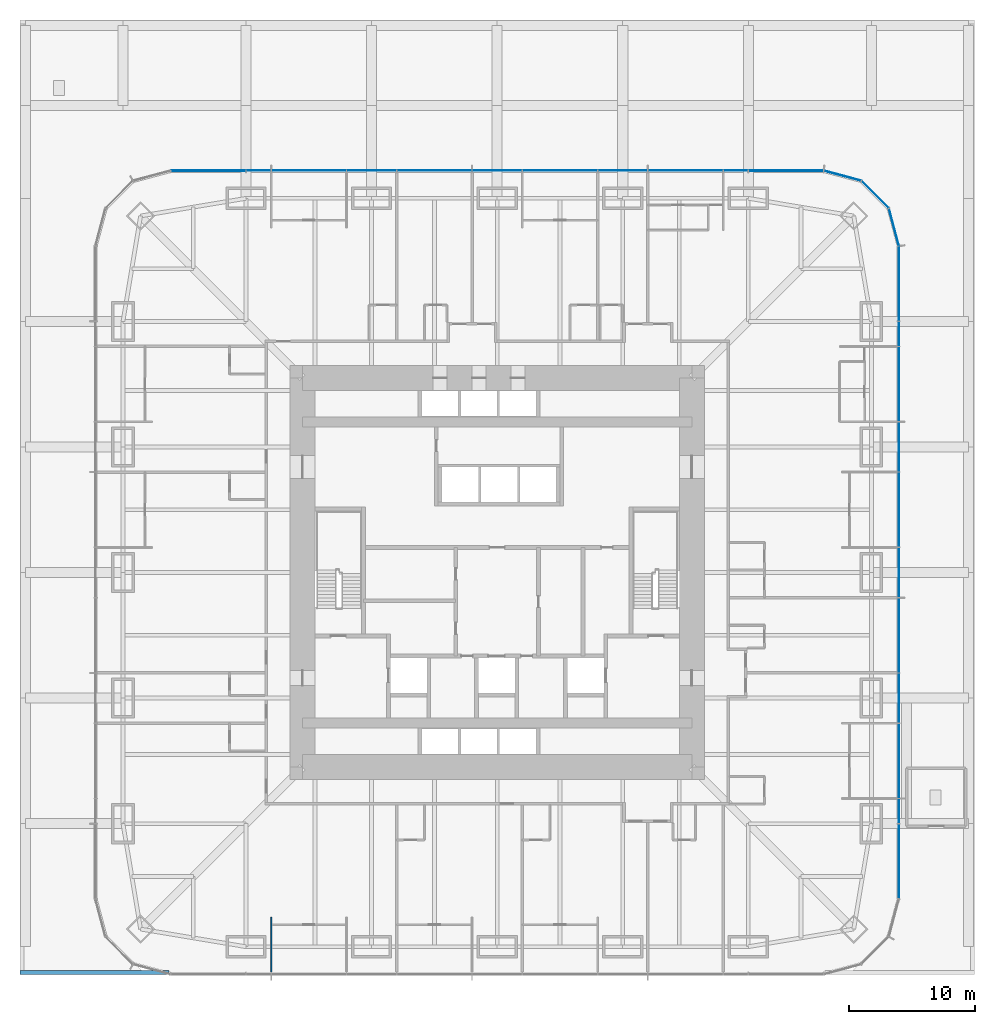
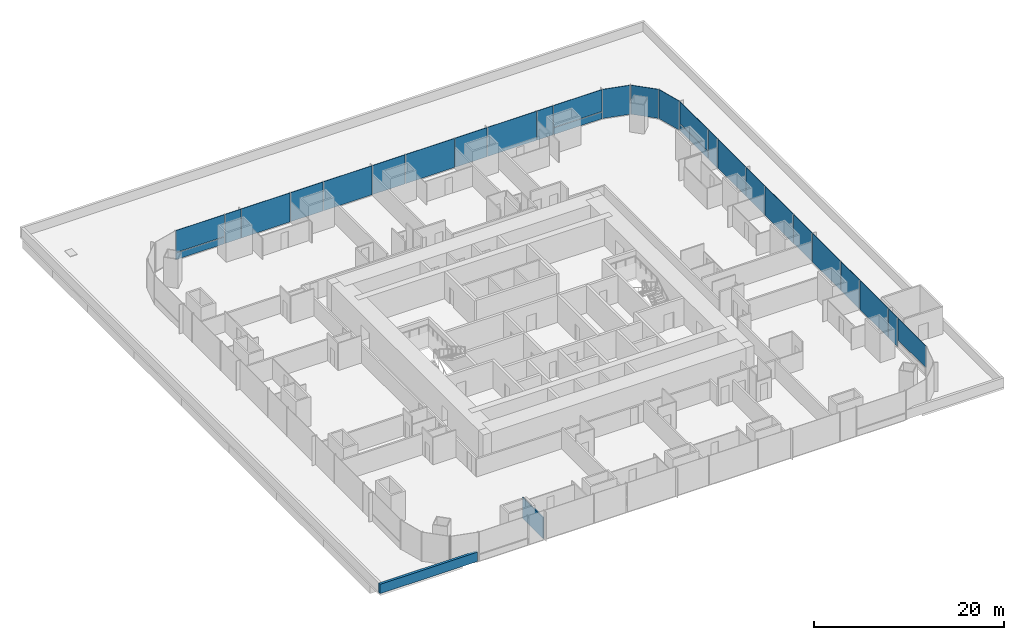
# One storey, part 13 of 20: 28 plates, 2 walls, 3 elements without a shape of their own.
"""IFC4 building model written with IfcOpenShell, lengths in metres."""

from ifc_helpers import new_model, si_unit, direction, frame, frame_2d, origin, origin_2d, place, context, subcontext, project, spatial, rectangle, extrude, material, layer, layer_set, type_object, element, aggregate, save


model = new_model("IFC4")

# Units and contexts
model_context = context("Model", 3, precision=1e-05, world=origin(), true_north=direction((0.0, 1.0)))
body_context = subcontext(model_context, "Body", "Model", "MODEL_VIEW")
ifc_project = project(units=[si_unit("LENGTHUNIT", "METRE"), si_unit("AREAUNIT", "SQUARE_METRE"), si_unit("VOLUMEUNIT", "CUBIC_METRE"), si_unit("PLANEANGLEUNIT", "RADIAN"), si_unit("MASSUNIT", "GRAM", prefix="KILO")], contexts=[model_context])

# Site, building, storey
site_placement = place(None, origin())
site = spatial("IfcSite", under=ifc_project, at=site_placement, CompositionType="ELEMENT")
building_placement = place(site_placement, origin())
building = spatial("IfcBuilding", under=site, at=building_placement, Name="Khuree Lantern Residences", CompositionType="ELEMENT")
storey_placement = place(building_placement, frame((0.0, 0.0, 21.0)))
storey = spatial("IfcBuildingStorey", under=building, at=storey_placement, Name="L04", CompositionType="ELEMENT", Elevation=21.0)

# Curtain wall, plates
ifc_material_1 = material(Name="Bronze anodised aluminium", Category="aluminium")
curtain_wall_type_1 = type_object("IfcCurtainWallType", Name="CW-T2 TOWER CORNER CURTAIN WALL", PredefinedType="USERDEFINED", material=ifc_material_1)
curtain_wall_1_placement = place(storey_placement, origin())
curtain_wall_1 = element("IfcCurtainWall", 1, at=curtain_wall_1_placement, inside=storey, type_object=curtain_wall_type_1, Name="L04 NORTH-EAST CORNER CURTAIN WALL", ObjectType="Faceted corner curtain wall", PredefinedType="USERDEFINED")
ifc_material_2 = material(Name="Bronze tinted triple glazing", Category="glass")
ifc_layer_1 = layer(ifc_material_2, 0.048095703125)
ifc_layer_set_1 = layer_set([ifc_layer_1], Name="FACET PANEL P4")
plate_type_1 = type_object("IfcPlateType", Name="FACET PANEL P4", PredefinedType="CURTAIN_PANEL", material=ifc_layer_set_1)
plate_1_placement = place(storey_placement, frame((31.5986328125, 27.498046875, 0.0), z_axis=(0.0, 0.0, 1.0), x_axis=(-0.258819172081, 0.965925792265, 0.0)))
plate_1 = element("IfcPlate", 2, at=plate_1_placement, type_object=plate_type_1, Name="L04 NORTH-EAST CORNER PANEL 15.1", PredefinedType="CURTAIN_PANEL", context=body_context, shape_type="SweptSolid", body=[
    extrude(rectangle(XDim=3.02978515625, YDim=0.048095703125, at=origin_2d()), origin(), (0.0, 0.0, 1.0), 3.75),
])
plate_2_placement = place(storey_placement, frame((30.09814453125, 30.09814453125, 0.0), z_axis=(0.0, 0.0, 1.0), x_axis=(-0.707106781187, 0.707106781187, 0.0)))
plate_2 = element("IfcPlate", 3, at=plate_2_placement, type_object=plate_type_1, Name="L04 NORTH-EAST CORNER PANEL 16.1", PredefinedType="CURTAIN_PANEL", context=body_context, shape_type="SweptSolid", body=[
    extrude(rectangle(XDim=3.025634765625, YDim=0.048095703125, at=origin_2d()), origin(), (0.0, 0.0, 1.0), 3.75),
])
plate_3_placement = place(storey_placement, frame((27.498046875, 31.5986328125, 0.0), z_axis=(0.0, 0.0, 1.0), x_axis=(-0.965925792265, 0.258819172081, 0.0)))
plate_3 = element("IfcPlate", 4, at=plate_3_placement, type_object=plate_type_1, Name="L04 NORTH-EAST CORNER PANEL 17.1", PredefinedType="CURTAIN_PANEL", context=body_context, shape_type="SweptSolid", body=[
    extrude(rectangle(XDim=3.02978515625, YDim=0.048095703125, at=origin_2d()), origin(), (0.0, 0.0, 1.0), 3.75),
])
aggregate(curtain_wall_1, [plate_1, plate_2, plate_3])

curtain_wall_type_2 = type_object("IfcCurtainWallType", Name="CW-T1 TOWER FACE CURTAIN WALL", PredefinedType="USERDEFINED", material=ifc_material_1)
curtain_wall_2_placement = place(storey_placement, origin())
curtain_wall_2 = element("IfcCurtainWall", 5, at=curtain_wall_2_placement, inside=storey, type_object=curtain_wall_type_2, Name="L04 EAST FACE CURTAIN WALL", ObjectType="Stick-built curtain wall", PredefinedType="USERDEFINED")
ifc_material_3 = material(Name="Bronze tinted triple glazing with a ceramic-fritted spandrel band", Category="glass")
ifc_layer_2 = layer(ifc_material_3, 0.048095703125)
ifc_layer_set_2 = layer_set([ifc_layer_2], Name="FIXED LIGHT PANEL P11")
plate_type_2 = type_object("IfcPlateType", Name="FIXED LIGHT PANEL P11", PredefinedType="CURTAIN_PANEL", material=ifc_layer_set_2)
plate_4_placement = place(storey_placement, frame((32.0, -15.0, 0.0), z_axis=(0.0, 0.0, 1.0), x_axis=(0.0, 1.0, 0.0)))
plate_4 = element("IfcPlate", 6, at=plate_4_placement, type_object=plate_type_2, Name="L04 EAST FACE PANEL 6.1", PredefinedType="CURTAIN_PANEL", context=body_context, shape_type="SweptSolid", body=[
    extrude(rectangle(XDim=5.93505859375, YDim=0.048095703125, at=origin_2d()), origin(), (0.0, 0.0, 1.0), 3.75),
])
plate_5_placement = place(storey_placement, frame((32.0, -5.0, 0.0), z_axis=(0.0, 0.0, 1.0), x_axis=(0.0, 1.0, 0.0)))
plate_5 = element("IfcPlate", 7, at=plate_5_placement, type_object=plate_type_2, Name="L04 EAST FACE PANEL 8.1", PredefinedType="CURTAIN_PANEL", context=body_context, shape_type="SweptSolid", body=[
    extrude(rectangle(XDim=5.93505859375, YDim=0.048095703125, at=origin_2d()), origin(), (0.0, 0.0, 1.0), 3.75),
])
plate_6_placement = place(storey_placement, frame((32.0, 5.0, 0.0), z_axis=(0.0, 0.0, 1.0), x_axis=(0.0, 1.0, 0.0)))
plate_6 = element("IfcPlate", 8, at=plate_6_placement, type_object=plate_type_2, Name="L04 EAST FACE PANEL 10.1", PredefinedType="CURTAIN_PANEL", context=body_context, shape_type="SweptSolid", body=[
    extrude(rectangle(XDim=5.93505859375, YDim=0.048095703125, at=origin_2d()), origin(), (0.0, 0.0, 1.0), 3.75),
])
plate_7_placement = place(storey_placement, frame((32.0, 15.0, 0.0), z_axis=(0.0, 0.0, 1.0), x_axis=(0.0, 1.0, 0.0)))
plate_7 = element("IfcPlate", 9, at=plate_7_placement, type_object=plate_type_2, Name="L04 EAST FACE PANEL 12.1", PredefinedType="CURTAIN_PANEL", context=body_context, shape_type="SweptSolid", body=[
    extrude(rectangle(XDim=5.93505859375, YDim=0.048095703125, at=origin_2d()), origin(), (0.0, 0.0, 1.0), 3.75),
])

curtain_wall_3_placement = place(storey_placement, origin())
curtain_wall_3 = element("IfcCurtainWall", 10, at=curtain_wall_3_placement, inside=storey, type_object=curtain_wall_type_2, Name="L04 NORTH FACE CURTAIN WALL", ObjectType="Stick-built curtain wall", PredefinedType="USERDEFINED")
plate_8_placement = place(storey_placement, frame((15.0, 32.0, 0.0), z_axis=(0.0, 0.0, 1.0), x_axis=(-1.0, 0.0, 0.0)))
plate_8 = element("IfcPlate", 11, at=plate_8_placement, type_object=plate_type_2, Name="L04 NORTH FACE PANEL 20.1", PredefinedType="CURTAIN_PANEL", context=body_context, shape_type="SweptSolid", body=[
    extrude(rectangle(XDim=5.93505859375, YDim=0.048095703125, at=origin_2d()), origin(), (0.0, 0.0, 1.0), 3.75),
])
plate_9_placement = place(storey_placement, frame((5.0, 32.0, 0.0), z_axis=(0.0, 0.0, 1.0), x_axis=(-1.0, 0.0, 0.0)))
plate_9 = element("IfcPlate", 12, at=plate_9_placement, type_object=plate_type_2, Name="L04 NORTH FACE PANEL 22.1", PredefinedType="CURTAIN_PANEL", context=body_context, shape_type="SweptSolid", body=[
    extrude(rectangle(XDim=5.93505859375, YDim=0.048095703125, at=origin_2d()), origin(), (0.0, 0.0, 1.0), 3.75),
])
plate_10_placement = place(storey_placement, frame((-5.0, 32.0, 0.0), z_axis=(0.0, 0.0, 1.0), x_axis=(-1.0, 0.0, 0.0)))
plate_10 = element("IfcPlate", 13, at=plate_10_placement, type_object=plate_type_2, Name="L04 NORTH FACE PANEL 24.1", PredefinedType="CURTAIN_PANEL", context=body_context, shape_type="SweptSolid", body=[
    extrude(rectangle(XDim=5.93505859375, YDim=0.048095703125, at=origin_2d()), origin(), (0.0, 0.0, 1.0), 3.75),
])
plate_11_placement = place(storey_placement, frame((-15.0, 32.0, 0.0), z_axis=(0.0, 0.0, 1.0), x_axis=(-1.0, 0.0, 0.0)))
plate_11 = element("IfcPlate", 14, at=plate_11_placement, type_object=plate_type_2, Name="L04 NORTH FACE PANEL 26.1", PredefinedType="CURTAIN_PANEL", context=body_context, shape_type="SweptSolid", body=[
    extrude(rectangle(XDim=5.93505859375, YDim=0.048095703125, at=origin_2d()), origin(), (0.0, 0.0, 1.0), 3.75),
])

# Plate
ifc_material_4 = material(Name="Bronze tinted triple glazing, two aluminium-framed sashes in one frame", Category="aluminium")
ifc_layer_3 = layer(ifc_material_4, 0.048095703125)
ifc_layer_set_3 = layer_set([ifc_layer_3], Name="SASH PAIR PANEL P12")
plate_type_3 = type_object("IfcPlateType", Name="SASH PAIR PANEL P12", PredefinedType="CURTAIN_PANEL", material=ifc_layer_set_3)
plate_12_placement = place(storey_placement, frame((32.0, -10.0, 0.0), z_axis=(0.0, 0.0, 1.0), x_axis=(0.0, 1.0, 0.0)))
plate_12 = element("IfcPlate", 15, at=plate_12_placement, type_object=plate_type_3, Name="L04 EAST FACE PANEL 7.1", PredefinedType="CURTAIN_PANEL", context=body_context, shape_type="SweptSolid", body=[
    extrude(rectangle(XDim=3.93505859375, YDim=0.048095703125, at=origin_2d()), origin(), (0.0, 0.0, 1.0), 3.75),
])

plate_13_placement = place(storey_placement, frame((32.0, 0.0, 0.0), z_axis=(0.0, 0.0, 1.0), x_axis=(0.0, 1.0, 0.0)))
plate_13 = element("IfcPlate", 16, at=plate_13_placement, type_object=plate_type_3, Name="L04 EAST FACE PANEL 9.1", PredefinedType="CURTAIN_PANEL", context=body_context, shape_type="SweptSolid", body=[
    extrude(rectangle(XDim=3.93505859375, YDim=0.048095703125, at=origin_2d()), origin(), (0.0, 0.0, 1.0), 3.75),
])

plate_14_placement = place(storey_placement, frame((32.0, 10.0, 0.0), z_axis=(0.0, 0.0, 1.0), x_axis=(0.0, 1.0, 0.0)))
plate_14 = element("IfcPlate", 17, at=plate_14_placement, type_object=plate_type_3, Name="L04 EAST FACE PANEL 11.1", PredefinedType="CURTAIN_PANEL", context=body_context, shape_type="SweptSolid", body=[
    extrude(rectangle(XDim=3.93505859375, YDim=0.048095703125, at=origin_2d()), origin(), (0.0, 0.0, 1.0), 3.75),
])

plate_15_placement = place(storey_placement, frame((10.0, 32.0, 0.0), z_axis=(0.0, 0.0, 1.0), x_axis=(-1.0, 0.0, 0.0)))
plate_15 = element("IfcPlate", 18, at=plate_15_placement, type_object=plate_type_3, Name="L04 NORTH FACE PANEL 21.1", PredefinedType="CURTAIN_PANEL", context=body_context, shape_type="SweptSolid", body=[
    extrude(rectangle(XDim=3.93505859375, YDim=0.048095703125, at=origin_2d()), origin(), (0.0, 0.0, 1.0), 3.75),
])

plate_16_placement = place(storey_placement, frame((0.0, 32.0, 0.0), z_axis=(0.0, 0.0, 1.0), x_axis=(-1.0, 0.0, 0.0)))
plate_16 = element("IfcPlate", 19, at=plate_16_placement, type_object=plate_type_3, Name="L04 NORTH FACE PANEL 23.1", PredefinedType="CURTAIN_PANEL", context=body_context, shape_type="SweptSolid", body=[
    extrude(rectangle(XDim=3.93505859375, YDim=0.048095703125, at=origin_2d()), origin(), (0.0, 0.0, 1.0), 3.75),
])

plate_17_placement = place(storey_placement, frame((-10.0, 32.0, 0.0), z_axis=(0.0, 0.0, 1.0), x_axis=(-1.0, 0.0, 0.0)))
plate_17 = element("IfcPlate", 20, at=plate_17_placement, type_object=plate_type_3, Name="L04 NORTH FACE PANEL 25.1", PredefinedType="CURTAIN_PANEL", context=body_context, shape_type="SweptSolid", body=[
    extrude(rectangle(XDim=3.93505859375, YDim=0.048095703125, at=origin_2d()), origin(), (0.0, 0.0, 1.0), 3.75),
])

ifc_material_5 = material(Name="Bronze tinted triple glazing, aluminium-framed sash", Category="aluminium")
ifc_layer_4 = layer(ifc_material_5, 0.048095703125)
ifc_layer_set_4 = layer_set([ifc_layer_4], Name="SASH PANEL P3")
plate_type_4 = type_object("IfcPlateType", Name="SASH PANEL P3", PredefinedType="CURTAIN_PANEL", material=ifc_layer_set_4)
plate_18_placement = place(storey_placement, frame((32.0, -19.0, 0.0), z_axis=(0.0, 0.0, 1.0), x_axis=(0.0, 1.0, 0.0)))
plate_18 = element("IfcPlate", 21, at=plate_18_placement, type_object=plate_type_4, Name="L04 EAST FACE PANEL 5.1", PredefinedType="CURTAIN_PANEL", context=body_context, shape_type="SweptSolid", body=[
    extrude(rectangle(XDim=1.93505859375, YDim=0.048095703125, at=origin_2d()), origin(), (0.0, 0.0, 1.0), 3.75),
])

plate_19_placement = place(storey_placement, frame((32.0, 19.0, 0.0), z_axis=(0.0, 0.0, 1.0), x_axis=(0.0, 1.0, 0.0)))
plate_19 = element("IfcPlate", 22, at=plate_19_placement, type_object=plate_type_4, Name="L04 EAST FACE PANEL 13.1", PredefinedType="CURTAIN_PANEL", context=body_context, shape_type="SweptSolid", body=[
    extrude(rectangle(XDim=1.93505859375, YDim=0.048095703125, at=origin_2d()), origin(), (0.0, 0.0, 1.0), 3.75),
])

plate_20_placement = place(storey_placement, frame((19.0, 32.0, 0.0), z_axis=(0.0, 0.0, 1.0), x_axis=(-1.0, 0.0, 0.0)))
plate_20 = element("IfcPlate", 23, at=plate_20_placement, type_object=plate_type_4, Name="L04 NORTH FACE PANEL 19.1", PredefinedType="CURTAIN_PANEL", context=body_context, shape_type="SweptSolid", body=[
    extrude(rectangle(XDim=1.93505859375, YDim=0.048095703125, at=origin_2d()), origin(), (0.0, 0.0, 1.0), 3.75),
])

plate_21_placement = place(storey_placement, frame((-19.0, 32.0, 0.0), z_axis=(0.0, 0.0, 1.0), x_axis=(-1.0, 0.0, 0.0)))
plate_21 = element("IfcPlate", 24, at=plate_21_placement, type_object=plate_type_4, Name="L04 NORTH FACE PANEL 27.1", PredefinedType="CURTAIN_PANEL", context=body_context, shape_type="SweptSolid", body=[
    extrude(rectangle(XDim=1.93505859375, YDim=0.048095703125, at=origin_2d()), origin(), (0.0, 0.0, 1.0), 3.75),
])

ifc_material_6 = material(Name="Bronze anodised aluminium insulated spandrel", Category="aluminium")
ifc_layer_5 = layer(ifc_material_6, 0.06005859375)
ifc_layer_set_5 = layer_set([ifc_layer_5], Name="SPANDREL PANEL P2")
plate_type_5 = type_object("IfcPlateType", Name="SPANDREL PANEL P2", PredefinedType="CURTAIN_PANEL", material=ifc_layer_set_5)
plate_22_placement = place(storey_placement, frame((32.0, 22.997802734375, 0.0), z_axis=(0.0, 0.0, 1.0), x_axis=(0.0, 1.0, 0.0)))
plate_22 = element("IfcPlate", 25, at=plate_22_placement, type_object=plate_type_5, Name="L04 EAST FACE PANEL 14.1", PredefinedType="CURTAIN_PANEL", context=body_context, shape_type="SweptSolid", body=[
    extrude(rectangle(XDim=5.9306640625, YDim=0.06005859375, at=origin_2d()), origin(), (0.0, 0.0, 1.0), 0.867431640625),
])

plate_23_placement = place(storey_placement, frame((22.997802734375, 32.0, 0.0), z_axis=(0.0, 0.0, 1.0), x_axis=(-1.0, 0.0, 0.0)))
plate_23 = element("IfcPlate", 26, at=plate_23_placement, type_object=plate_type_5, Name="L04 NORTH FACE PANEL 18.1", PredefinedType="CURTAIN_PANEL", context=body_context, shape_type="SweptSolid", body=[
    extrude(rectangle(XDim=5.9306640625, YDim=0.06005859375, at=origin_2d()), origin(), (0.0, 0.0, 1.0), 0.867431640625),
])

plate_24_placement = place(storey_placement, frame((-22.997802734375, 32.0, 0.0), z_axis=(0.0, 0.0, 1.0), x_axis=(-1.0, 0.0, 0.0)))
plate_24 = element("IfcPlate", 27, at=plate_24_placement, type_object=plate_type_5, Name="L04 NORTH FACE PANEL 28.1", PredefinedType="CURTAIN_PANEL", context=body_context, shape_type="SweptSolid", body=[
    extrude(rectangle(XDim=5.9306640625, YDim=0.06005859375, at=origin_2d()), origin(), (0.0, 0.0, 1.0), 0.867431640625),
])

ifc_layer_6 = layer(ifc_material_2, 0.048095703125)
ifc_layer_set_6 = layer_set([ifc_layer_6], Name="VISION PANEL P1")
plate_type_6 = type_object("IfcPlateType", Name="VISION PANEL P1", PredefinedType="CURTAIN_PANEL", material=ifc_layer_set_6)
plate_25_placement = place(storey_placement, frame((32.0, -22.998291015625, 0.9326171875), z_axis=(0.0, 0.0, 1.0), x_axis=(0.0, 1.0, 0.0)))
plate_25 = element("IfcPlate", 28, at=plate_25_placement, type_object=plate_type_6, Name="L04 EAST FACE PANEL 4.2", PredefinedType="CURTAIN_PANEL", context=body_context, shape_type="SweptSolid", body=[
    extrude(rectangle(XDim=5.931640625, YDim=0.048095703125, at=origin_2d()), origin(), (0.0, 0.0, 1.0), 2.8173828125),
])

plate_26_placement = place(storey_placement, frame((32.0, 22.998291015625, 0.9326171875), z_axis=(0.0, 0.0, 1.0), x_axis=(0.0, 1.0, 0.0)))
plate_26 = element("IfcPlate", 29, at=plate_26_placement, type_object=plate_type_6, Name="L04 EAST FACE PANEL 14.2", PredefinedType="CURTAIN_PANEL", context=body_context, shape_type="SweptSolid", body=[
    extrude(rectangle(XDim=5.931640625, YDim=0.048095703125, at=origin_2d()), origin(), (0.0, 0.0, 1.0), 2.8173828125),
])

aggregate(curtain_wall_2, [plate_25, plate_18, plate_4, plate_12, plate_5, plate_13, plate_6, plate_14, plate_7, plate_19, plate_22, plate_26])

plate_27_placement = place(storey_placement, frame((22.998291015625, 32.0, 0.9326171875), z_axis=(0.0, 0.0, 1.0), x_axis=(-1.0, 0.0, 0.0)))
plate_27 = element("IfcPlate", 30, at=plate_27_placement, type_object=plate_type_6, Name="L04 NORTH FACE PANEL 18.2", PredefinedType="CURTAIN_PANEL", context=body_context, shape_type="SweptSolid", body=[
    extrude(rectangle(XDim=5.931640625, YDim=0.048095703125, at=origin_2d()), origin(), (0.0, 0.0, 1.0), 2.8173828125),
])

plate_28_placement = place(storey_placement, frame((-22.998291015625, 32.0, 0.9326171875), z_axis=(0.0, 0.0, 1.0), x_axis=(-1.0, 0.0, 0.0)))
plate_28 = element("IfcPlate", 31, at=plate_28_placement, type_object=plate_type_6, Name="L04 NORTH FACE PANEL 28.2", PredefinedType="CURTAIN_PANEL", context=body_context, shape_type="SweptSolid", body=[
    extrude(rectangle(XDim=5.931640625, YDim=0.048095703125, at=origin_2d()), origin(), (0.0, 0.0, 1.0), 2.8173828125),
])

aggregate(curtain_wall_3, [plate_23, plate_27, plate_20, plate_8, plate_15, plate_9, plate_16, plate_10, plate_17, plate_11, plate_21, plate_24, plate_28])

# Walls
ifc_material_7 = material(Name="Precast concrete parapet with granite coping", Category="masonry")
ifc_layer_7 = layer(ifc_material_7, 0.300048828125)
ifc_layer_set_7 = layer_set([ifc_layer_7], Name="PARAPET PP1 300")
wall_type_1 = type_object("IfcWallType", Name="PARAPET PP1 300", PredefinedType="PARAPET", material=ifc_layer_set_7)
wall_1_placement = place(storey_placement, frame((-38.0, -31.85009765625, 0.0), z_axis=(0.0, 0.0, 1.0), x_axis=(1.0, 0.0, 0.0)))
element("IfcWall", 32, at=wall_1_placement, inside=storey, type_object=wall_type_1, Name="PODIUM ROOF PARAPET 2", PredefinedType="PARAPET", context=body_context, shape_type="SweptSolid", body=[
    extrude(rectangle(XDim=11.884033203125, YDim=0.300048828125, at=frame_2d((5.94189453125, 0.0))), origin(), (0.0, 0.0, 1.0), 1.199951171875),
])
ifc_material_8 = material(Name="Gypsum board on steel studs", Category="steel")
ifc_layer_8 = layer(ifc_material_8, 0.10009765625)
ifc_layer_set_8 = layer_set([ifc_layer_8], Name="PARTITION PT100")
wall_type_2 = type_object("IfcWallType", Name="PARTITION PT100", PredefinedType="PARTITIONING", material=ifc_layer_set_8)
wall_2_placement = place(storey_placement, frame((-18.0, -27.449951171875, 0.0), z_axis=(0.0, 0.0, 1.0), x_axis=(0.0, -1.0, 0.0)))
element("IfcWall", 33, at=wall_2_placement, inside=storey, type_object=wall_type_2, Name="L04 PARTITION 10", PredefinedType="PARTITIONING", context=body_context, shape_type="SweptSolid", body=[
    extrude(rectangle(XDim=4.400146484375, YDim=0.10009765625, at=frame_2d((2.2001953125, 0.0))), origin(), (0.0, 0.0, 1.0), 2.7099609375),
])

save(model, "model.ifc")
